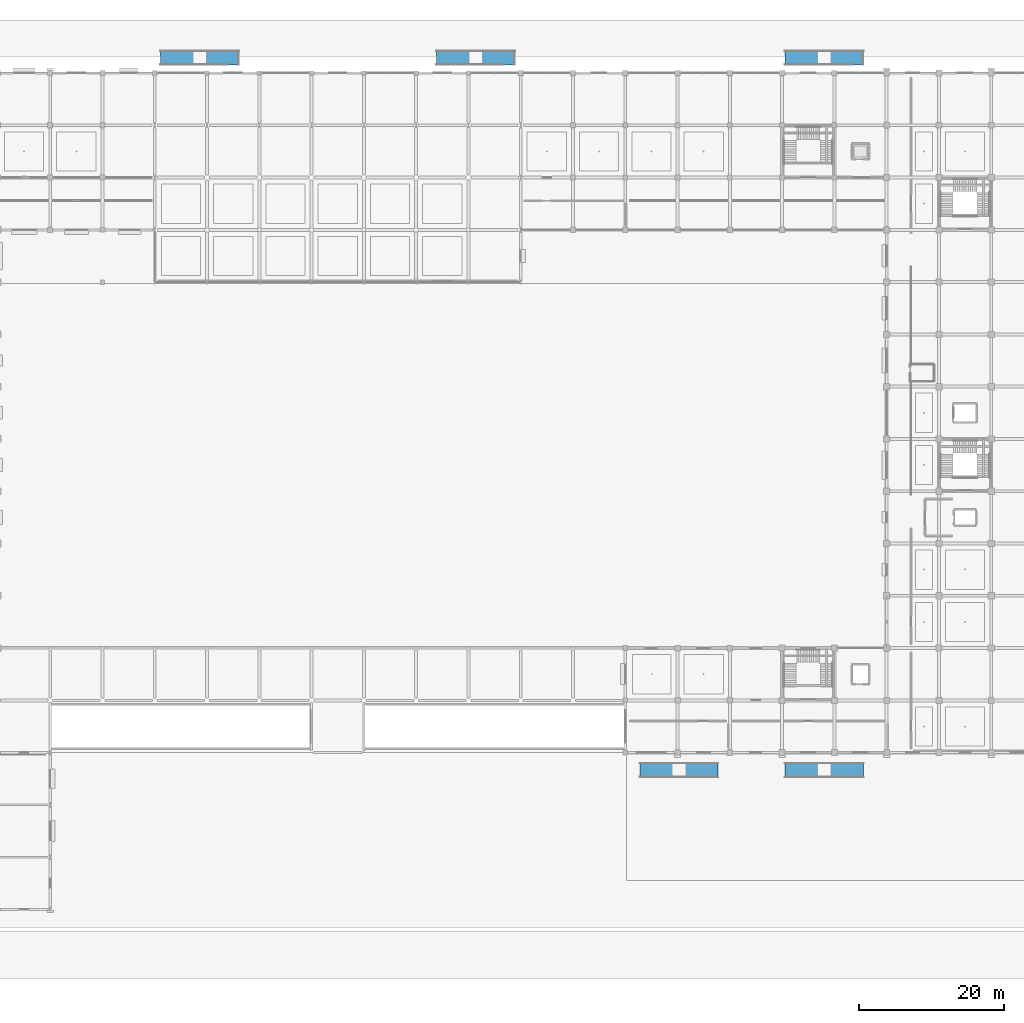
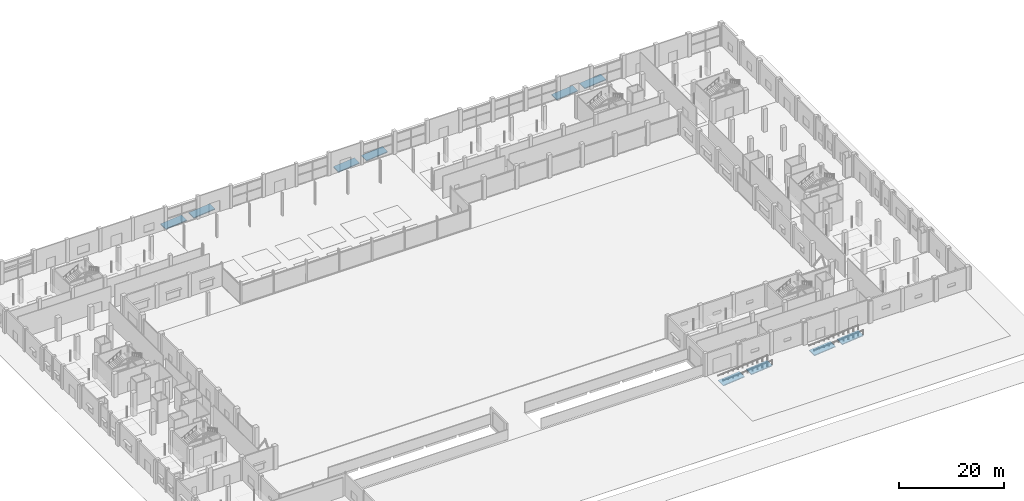
# One storey, part 68 of 90: 10 ramp flights, 5 elements without a shape of their own.
"""IFC4 building model written with IfcOpenShell, lengths in metres."""

import ifcopenshell
import ifcopenshell.guid

model = None  # the IFC model being written
_history = None  # IfcOwnerHistory: only IFC2X3 demands one
_inside = {}  # id of a spatial element -> (the spatial element, [elements in it])
_under = {}  # id of a project, library or spatial element -> (it, [spatial elements below it])
_declared = {}  # id of a project -> (the project, [libraries it declares])
_typed = {}  # id of a type object -> (the type object, [elements of that type])
_made_of = {}  # id of a material, layer set ... -> (it, [elements and type objects made of it])


def new_model(schema):
    """Start an empty IFC model of exactly this schema.

    Asked for "IFC4X3", IfcOpenShell would pick the latest addendum, in which some entities
    have other attributes; the version numbers below select the first issue.
    IFC2X3 requires an IfcOwnerHistory on every rooted entity: one is made here for all.
    """
    global model, _history
    if schema == "IFC4X3":
        model = ifcopenshell.file(schema_version=(4, 3, 0, 0))
    else:
        model = ifcopenshell.file(schema=schema)
    _inside.clear()
    _under.clear()
    _declared.clear()
    _typed.clear()
    _made_of.clear()
    _history = None
    if model.schema == "IFC2X3":
        org = make("IfcOrganization", Name="unknown")
        user = make(
            "IfcPersonAndOrganization",
            ThePerson=make("IfcPerson", FamilyName="unknown"),
            TheOrganization=org,
        )
        app = make(
            "IfcApplication",
            ApplicationDeveloper=org,
            Version="unknown",
            ApplicationFullName="unknown",
            ApplicationIdentifier="unknown",
        )
        _history = make(
            "IfcOwnerHistory",
            OwningUser=user,
            OwningApplication=app,
            ChangeAction="ADDED",
            CreationDate=0,
        )
    return model


def make(cls, **values):
    """One entity of the class cls with the attributes given. An attribute that is None is left unset."""
    return model.create_entity(
        cls, **{name: value for name, value in values.items() if value is not None}
    )


def rooted(cls, **values):
    """An entity with a GlobalId (a new one), such as an element, a storey or a relation."""
    return make(cls, GlobalId=ifcopenshell.guid.new(), OwnerHistory=_history, **values)


def si_unit(unit_type, name, prefix=None):
    """IfcSIUnit, for example si_unit("LENGTHUNIT", "METRE", prefix="MILLI")."""
    return make("IfcSIUnit", UnitType=unit_type, Prefix=prefix, Name=name)


def assignment(units):
    """IfcUnitAssignment: the units of a project."""
    return None if units is None else make("IfcUnitAssignment", Units=units)


def point(xyz):
    """IfcCartesianPoint."""
    return None if xyz is None else make("IfcCartesianPoint", Coordinates=xyz)


def direction(xyz):
    """IfcDirection."""
    return None if xyz is None else make("IfcDirection", DirectionRatios=xyz)


def frame(location, z_axis=None, x_axis=None):
    """IfcAxis2Placement3D, a coordinate frame: its origin and axes. An axis left out is left unset."""
    return make(
        "IfcAxis2Placement3D",
        Location=point(location),
        Axis=direction(z_axis),
        RefDirection=direction(x_axis),
    )


def origin():
    """The frame at (0, 0, 0) with its axes left unset."""
    return frame((0.0, 0.0, 0.0))


def place(relative_to, where):
    """IfcLocalPlacement: puts the frame where relative to a parent placement (None: the world)."""
    return make(
        "IfcLocalPlacement", PlacementRelTo=relative_to, RelativePlacement=where
    )


def context(
    kind, dimensions, precision=None, world=None, true_north=None, identifier=None
):
    """IfcGeometricRepresentationContext, for example the 3D "Model" context."""
    return make(
        "IfcGeometricRepresentationContext",
        ContextIdentifier=identifier,
        ContextType=kind,
        CoordinateSpaceDimension=dimensions,
        Precision=precision,
        WorldCoordinateSystem=world,
        TrueNorth=true_north,
    )


def subcontext(parent, identifier, kind, view, scale=None):
    """IfcGeometricRepresentationSubContext, for example "Body" below "Model"."""
    return make(
        "IfcGeometricRepresentationSubContext",
        ContextIdentifier=identifier,
        ContextType=kind,
        ParentContext=parent,
        TargetScale=scale,
        TargetView=view,
    )


def project(units=None, contexts=None):
    """IfcProject with its units and contexts."""
    return rooted(
        "IfcProject",
        Name="project",
        RepresentationContexts=contexts,
        UnitsInContext=assignment(units),
    )


def spatial(cls, under=None, at=None, **own):
    """A site, building, storey or space (cls), placed at a placement, below another one or the project."""
    s = rooted(cls, ObjectPlacement=at, **own)
    if under is not None:
        _under.setdefault(under.id(), (under, []))[1].append(s)
    return s


def polyline(points):
    """IfcPolyline through the points."""
    return make("IfcPolyline", Points=[point(p) for p in points])


def outline(outer, holes=None, kind="AREA"):
    """IfcArbitraryClosedProfileDef: a profile drawn as a closed curve; with holes, ...WithVoids."""
    if holes is None:
        return make("IfcArbitraryClosedProfileDef", ProfileType=kind, OuterCurve=outer)
    return make(
        "IfcArbitraryProfileDefWithVoids",
        ProfileType=kind,
        OuterCurve=outer,
        InnerCurves=holes,
    )


def extrude(swept, where, along, depth):
    """IfcExtrudedAreaSolid: the profile swept, set in the frame where, extruded along a direction by depth."""
    return make(
        "IfcExtrudedAreaSolid",
        SweptArea=swept,
        Position=where,
        ExtrudedDirection=direction(along),
        Depth=depth,
    )


def shape(context_of_items, identifier, shape_type, items):
    """IfcShapeRepresentation: the items that make up one representation, for example the "Body"."""
    return make(
        "IfcShapeRepresentation",
        ContextOfItems=context_of_items,
        RepresentationIdentifier=identifier,
        RepresentationType=shape_type,
        Items=items,
    )


def material(Name=None, Category=None):
    """IfcMaterial."""
    return make("IfcMaterial", Name=Name, Category=Category)


def made_of(thing, what):
    """Note that an element or type object is made of a material, layer set ...; save() writes the relation."""
    if what is not None:
        _made_of.setdefault(what.id(), (what, []))[1].append(thing)
    return thing


def type_object(cls, material=None, **own):
    """A type object (cls), such as IfcWallType, which elements share."""
    return made_of(rooted(cls, **own), material)


def element(
    cls,
    number,
    at=None,
    inside=None,
    cuts=None,
    type_object=None,
    material=None,
    context=None,
    identifier="Body",
    shape_type=None,
    held_by="IfcProductDefinitionShape",
    body=None,
    shapes=None,
    **own,
):
    """One element of the class cls, such as IfcWall. Its Tag is "e" and its number.

    at: its placement. inside: the storey or other place that contains it. cuts: it is an
    opening in that element (IfcRelVoidsElement). A single representation is given by context,
    identifier, shape_type and body (its items); several are given by shapes. held_by: the class
    of the entity that holds the representations. save() writes the other relations.
    """
    e = rooted(cls, Tag="e%d" % number, ObjectPlacement=at, **own)
    if body is not None:
        shapes = [shape(context, identifier, shape_type, body)]
    if shapes is not None:
        e.Representation = make(held_by, Representations=shapes)
    if inside is not None:
        _inside.setdefault(inside.id(), (inside, []))[1].append(e)
    if cuts is not None:
        rooted(
            "IfcRelVoidsElement", RelatingBuildingElement=cuts, RelatedOpeningElement=e
        )
    if type_object is not None:
        _typed.setdefault(type_object.id(), (type_object, []))[1].append(e)
    return made_of(e, material)


def aggregate(whole, parts):
    """IfcRelAggregates: a whole, such as a stair, and the parts it consists of."""
    return rooted("IfcRelAggregates", RelatingObject=whole, RelatedObjects=parts)


def save(model, path):
    """Write the relations noted so far, then the file.

    IfcRelAggregates (storeys below a building ...), IfcRelContainedInSpatialStructure (elements
    in a storey), IfcRelDefinesByType, IfcRelAssociatesMaterial and IfcRelDeclares: one each for
    every whole, place, type object, material and project.
    """
    for whole, parts in _under.values():
        aggregate(whole, parts)
    for where, things in _inside.values():
        rooted(
            "IfcRelContainedInSpatialStructure",
            RelatedElements=things,
            RelatingStructure=where,
        )
    for kind, things in _typed.values():
        rooted("IfcRelDefinesByType", RelatedObjects=things, RelatingType=kind)
    for what, things in _made_of.values():
        rooted("IfcRelAssociatesMaterial", RelatedObjects=things, RelatingMaterial=what)
    for by, libraries in _declared.values():
        rooted("IfcRelDeclares", RelatingContext=by, RelatedDefinitions=libraries)
    model.write(path)


model = new_model("IFC4")

# Units and contexts
model_context = context("Model", 3, precision=1e-05, world=origin(), true_north=direction((0.0, 1.0)))
body_context = subcontext(model_context, "Body", "Model", "MODEL_VIEW")
ifc_project = project(units=[si_unit("LENGTHUNIT", "METRE"), si_unit("AREAUNIT", "SQUARE_METRE"), si_unit("VOLUMEUNIT", "CUBIC_METRE"), si_unit("PLANEANGLEUNIT", "RADIAN"), si_unit("MASSUNIT", "GRAM", prefix="KILO")], contexts=[model_context])

# Site, building, storey
site_placement = place(None, origin())
site = spatial("IfcSite", under=ifc_project, at=site_placement, CompositionType="ELEMENT")
building_placement = place(site_placement, origin())
building = spatial("IfcBuilding", under=site, at=building_placement, Name="Kangsadwip Square Police Headquarters", CompositionType="ELEMENT")
storey_placement = place(building_placement, origin())
storey = spatial("IfcBuildingStorey", under=building, at=storey_placement, Name="L00", CompositionType="ELEMENT", Elevation=0.0)

# Ramp, ramp flights
ifc_material_1 = material(Name="Concrete M35 (35 MPa)", Category="concrete")
ramp_type = type_object("IfcRampType", Name="AccessiblePlinthRamp", PredefinedType="STRAIGHT_RUN_RAMP", material=ifc_material_1)
ramp_1_placement = place(storey_placement, origin())
ramp_1 = element("IfcRamp", 1, at=ramp_1_placement, inside=storey, type_object=ramp_type, Name="Accessible Plinth Entrance Ramp AR-01", PredefinedType="STRAIGHT_RUN_RAMP")
ifc_material_2 = material(Name="Concrete M35 (35 MPa)", Category="concrete")
ramp_flight_type = type_object("IfcRampFlightType", Name="ConcreteRampFlight", PredefinedType="STRAIGHT", material=ifc_material_2)
ramp_flight_1_placement = place(storey_placement, frame((44.0, 118.3, -0.9), z_axis=(0.0, -1.0, 0.0), x_axis=(1.0, 0.0, 0.0)))
ramp_flight_1 = element("IfcRampFlight", 2, at=ramp_flight_1_placement, type_object=ramp_flight_type, Name="Accessible Ramp Flight AR-01-FL1", PredefinedType="STRAIGHT", context=body_context, shape_type="SweptSolid", body=[
    extrude(outline(polyline([(0.0, 0.0), (0.58125, 0.05625), (1.1625, 0.1125), (1.74375, 0.16875), (2.325, 0.225), (2.90625, 0.28125), (3.4875, 0.3375), (4.06875, 0.39375), (4.65, 0.45), (4.65, 0.25), (4.06875, 0.19375), (3.4875, 0.1375), (2.90625, 0.08125), (2.325, 0.025), (1.74375, -0.03125), (1.1625, -0.0875), (0.58125, -0.14375), (0.0, -0.2), (0.0, 0.0)])), origin(), (0.0, 0.0, 1.0), 2.0),
])
ramp_flight_2_placement = place(storey_placement, frame((50.15, 118.3, -0.45), z_axis=(0.0, -1.0, 0.0), x_axis=(1.0, 0.0, 0.0)))
ramp_flight_2 = element("IfcRampFlight", 3, at=ramp_flight_2_placement, type_object=ramp_flight_type, Name="Accessible Ramp Flight AR-01-FL2", PredefinedType="STRAIGHT", context=body_context, shape_type="SweptSolid", body=[
    extrude(outline(polyline([(0.0, 0.0), (0.58125, 0.05625), (1.1625, 0.1125), (1.74375, 0.16875), (2.325, 0.225), (2.90625, 0.28125), (3.4875, 0.3375), (4.06875, 0.39375), (4.65, 0.45), (4.65, 0.25), (4.06875, 0.19375), (3.4875, 0.1375), (2.90625, 0.08125), (2.325, 0.025), (1.74375, -0.03125), (1.1625, -0.0875), (0.58125, -0.14375), (0.0, -0.2), (0.0, 0.0)])), origin(), (0.0, 0.0, 1.0), 2.0),
])
aggregate(ramp_1, [ramp_flight_1, ramp_flight_2])

ramp_2_placement = place(storey_placement, origin())
ramp_2 = element("IfcRamp", 4, at=ramp_2_placement, inside=storey, type_object=ramp_type, Name="Accessible Plinth Entrance Ramp AR-02", PredefinedType="STRAIGHT_RUN_RAMP")
ramp_flight_3_placement = place(storey_placement, frame((82.0, 118.3, -0.9), z_axis=(0.0, -1.0, 0.0), x_axis=(1.0, 0.0, 0.0)))
ramp_flight_3 = element("IfcRampFlight", 5, at=ramp_flight_3_placement, type_object=ramp_flight_type, Name="Accessible Ramp Flight AR-02-FL1", PredefinedType="STRAIGHT", context=body_context, shape_type="SweptSolid", body=[
    extrude(outline(polyline([(0.0, 0.0), (0.58125, 0.05625), (1.1625, 0.1125), (1.74375, 0.16875), (2.325, 0.225), (2.90625, 0.28125), (3.4875, 0.3375), (4.06875, 0.39375), (4.65, 0.45), (4.65, 0.25), (4.06875, 0.19375), (3.4875, 0.1375), (2.90625, 0.08125), (2.325, 0.025), (1.74375, -0.03125), (1.1625, -0.0875), (0.58125, -0.14375), (0.0, -0.2), (0.0, 0.0)])), origin(), (0.0, 0.0, 1.0), 2.0),
])
ramp_flight_4_placement = place(storey_placement, frame((88.15, 118.3, -0.45), z_axis=(0.0, -1.0, 0.0), x_axis=(1.0, 0.0, 0.0)))
ramp_flight_4 = element("IfcRampFlight", 6, at=ramp_flight_4_placement, type_object=ramp_flight_type, Name="Accessible Ramp Flight AR-02-FL2", PredefinedType="STRAIGHT", context=body_context, shape_type="SweptSolid", body=[
    extrude(outline(polyline([(0.0, 0.0), (0.58125, 0.05625), (1.1625, 0.1125), (1.74375, 0.16875), (2.325, 0.225), (2.90625, 0.28125), (3.4875, 0.3375), (4.06875, 0.39375), (4.65, 0.45), (4.65, 0.25), (4.06875, 0.19375), (3.4875, 0.1375), (2.90625, 0.08125), (2.325, 0.025), (1.74375, -0.03125), (1.1625, -0.0875), (0.58125, -0.14375), (0.0, -0.2), (0.0, 0.0)])), origin(), (0.0, 0.0, 1.0), 2.0),
])
aggregate(ramp_2, [ramp_flight_3, ramp_flight_4])

ramp_3_placement = place(storey_placement, origin())
ramp_3 = element("IfcRamp", 7, at=ramp_3_placement, inside=storey, type_object=ramp_type, Name="Accessible Plinth Entrance Ramp AR-05", PredefinedType="STRAIGHT_RUN_RAMP")
ramp_flight_5_placement = place(storey_placement, frame((130.0, 118.3, -0.9), z_axis=(0.0, -1.0, 0.0), x_axis=(1.0, 0.0, 0.0)))
ramp_flight_5 = element("IfcRampFlight", 8, at=ramp_flight_5_placement, type_object=ramp_flight_type, Name="Accessible Ramp Flight AR-05-FL1", PredefinedType="STRAIGHT", context=body_context, shape_type="SweptSolid", body=[
    extrude(outline(polyline([(0.0, 0.0), (0.58125, 0.05625), (1.1625, 0.1125), (1.74375, 0.16875), (2.325, 0.225), (2.90625, 0.28125), (3.4875, 0.3375), (4.06875, 0.39375), (4.65, 0.45), (4.65, 0.25), (4.06875, 0.19375), (3.4875, 0.1375), (2.90625, 0.08125), (2.325, 0.025), (1.74375, -0.03125), (1.1625, -0.0875), (0.58125, -0.14375), (0.0, -0.2), (0.0, 0.0)])), origin(), (0.0, 0.0, 1.0), 2.0),
])
ramp_flight_6_placement = place(storey_placement, frame((136.15, 118.3, -0.45), z_axis=(0.0, -1.0, 0.0), x_axis=(1.0, 0.0, 0.0)))
ramp_flight_6 = element("IfcRampFlight", 9, at=ramp_flight_6_placement, type_object=ramp_flight_type, Name="Accessible Ramp Flight AR-05-FL2", PredefinedType="STRAIGHT", context=body_context, shape_type="SweptSolid", body=[
    extrude(outline(polyline([(0.0, 0.0), (0.58125, 0.05625), (1.1625, 0.1125), (1.74375, 0.16875), (2.325, 0.225), (2.90625, 0.28125), (3.4875, 0.3375), (4.06875, 0.39375), (4.65, 0.45), (4.65, 0.25), (4.06875, 0.19375), (3.4875, 0.1375), (2.90625, 0.08125), (2.325, 0.025), (1.74375, -0.03125), (1.1625, -0.0875), (0.58125, -0.14375), (0.0, -0.2), (0.0, 0.0)])), origin(), (0.0, 0.0, 1.0), 2.0),
])
aggregate(ramp_3, [ramp_flight_5, ramp_flight_6])

ramp_4_placement = place(storey_placement, origin())
ramp_4 = element("IfcRamp", 10, at=ramp_4_placement, inside=storey, type_object=ramp_type, Name="Accessible Plinth Entrance Ramp AR-03", PredefinedType="STRAIGHT_RUN_RAMP")
ramp_flight_7_placement = place(storey_placement, frame((110.0, 20.2, -0.9), z_axis=(0.0, -1.0, 0.0), x_axis=(1.0, 0.0, 0.0)))
ramp_flight_7 = element("IfcRampFlight", 11, at=ramp_flight_7_placement, type_object=ramp_flight_type, Name="Accessible Ramp Flight AR-03-FL1", PredefinedType="STRAIGHT", context=body_context, shape_type="SweptSolid", body=[
    extrude(outline(polyline([(0.0, 0.0), (0.58125, 0.05625), (1.1625, 0.1125), (1.74375, 0.16875), (2.325, 0.225), (2.90625, 0.28125), (3.4875, 0.3375), (4.06875, 0.39375), (4.65, 0.45), (4.65, 0.25), (4.06875, 0.19375), (3.4875, 0.1375), (2.90625, 0.08125), (2.325, 0.025), (1.74375, -0.03125), (1.1625, -0.0875), (0.58125, -0.14375), (0.0, -0.2), (0.0, 0.0)])), origin(), (0.0, 0.0, 1.0), 2.0),
])
ramp_flight_8_placement = place(storey_placement, frame((116.15, 20.2, -0.45), z_axis=(0.0, -1.0, 0.0), x_axis=(1.0, 0.0, 0.0)))
ramp_flight_8 = element("IfcRampFlight", 12, at=ramp_flight_8_placement, type_object=ramp_flight_type, Name="Accessible Ramp Flight AR-03-FL2", PredefinedType="STRAIGHT", context=body_context, shape_type="SweptSolid", body=[
    extrude(outline(polyline([(0.0, 0.0), (0.58125, 0.05625), (1.1625, 0.1125), (1.74375, 0.16875), (2.325, 0.225), (2.90625, 0.28125), (3.4875, 0.3375), (4.06875, 0.39375), (4.65, 0.45), (4.65, 0.25), (4.06875, 0.19375), (3.4875, 0.1375), (2.90625, 0.08125), (2.325, 0.025), (1.74375, -0.03125), (1.1625, -0.0875), (0.58125, -0.14375), (0.0, -0.2), (0.0, 0.0)])), origin(), (0.0, 0.0, 1.0), 2.0),
])
aggregate(ramp_4, [ramp_flight_7, ramp_flight_8])

ramp_5_placement = place(storey_placement, origin())
ramp_5 = element("IfcRamp", 13, at=ramp_5_placement, inside=storey, type_object=ramp_type, Name="Accessible Plinth Entrance Ramp AR-04", PredefinedType="STRAIGHT_RUN_RAMP")
ramp_flight_9_placement = place(storey_placement, frame((130.0, 20.2, -0.9), z_axis=(0.0, -1.0, 0.0), x_axis=(1.0, 0.0, 0.0)))
ramp_flight_9 = element("IfcRampFlight", 14, at=ramp_flight_9_placement, type_object=ramp_flight_type, Name="Accessible Ramp Flight AR-04-FL1", PredefinedType="STRAIGHT", context=body_context, shape_type="SweptSolid", body=[
    extrude(outline(polyline([(0.0, 0.0), (0.58125, 0.05625), (1.1625, 0.1125), (1.74375, 0.16875), (2.325, 0.225), (2.90625, 0.28125), (3.4875, 0.3375), (4.06875, 0.39375), (4.65, 0.45), (4.65, 0.25), (4.06875, 0.19375), (3.4875, 0.1375), (2.90625, 0.08125), (2.325, 0.025), (1.74375, -0.03125), (1.1625, -0.0875), (0.58125, -0.14375), (0.0, -0.2), (0.0, 0.0)])), origin(), (0.0, 0.0, 1.0), 2.0),
])
ramp_flight_10_placement = place(storey_placement, frame((136.15, 20.2, -0.45), z_axis=(0.0, -1.0, 0.0), x_axis=(1.0, 0.0, 0.0)))
ramp_flight_10 = element("IfcRampFlight", 15, at=ramp_flight_10_placement, type_object=ramp_flight_type, Name="Accessible Ramp Flight AR-04-FL2", PredefinedType="STRAIGHT", context=body_context, shape_type="SweptSolid", body=[
    extrude(outline(polyline([(0.0, 0.0), (0.58125, 0.05625), (1.1625, 0.1125), (1.74375, 0.16875), (2.325, 0.225), (2.90625, 0.28125), (3.4875, 0.3375), (4.06875, 0.39375), (4.65, 0.45), (4.65, 0.25), (4.06875, 0.19375), (3.4875, 0.1375), (2.90625, 0.08125), (2.325, 0.025), (1.74375, -0.03125), (1.1625, -0.0875), (0.58125, -0.14375), (0.0, -0.2), (0.0, 0.0)])), origin(), (0.0, 0.0, 1.0), 2.0),
])
aggregate(ramp_5, [ramp_flight_9, ramp_flight_10])

save(model, "model.ifc")
